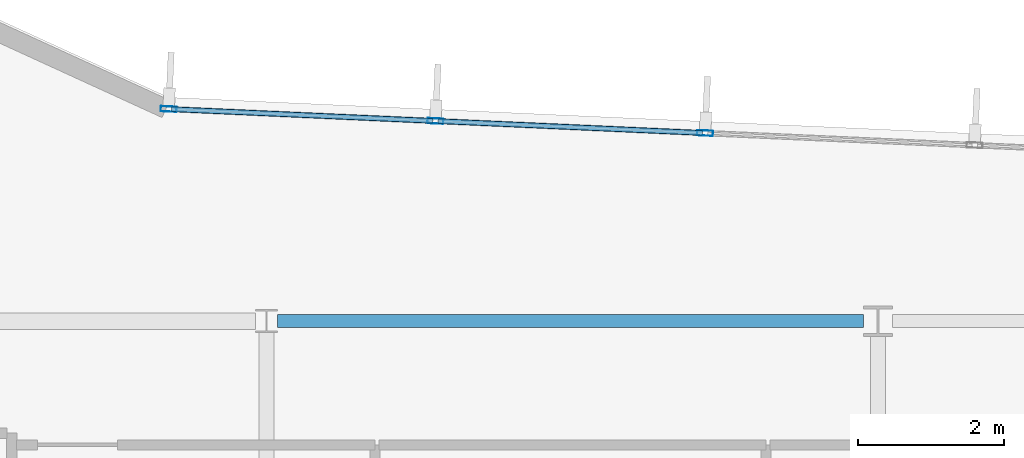
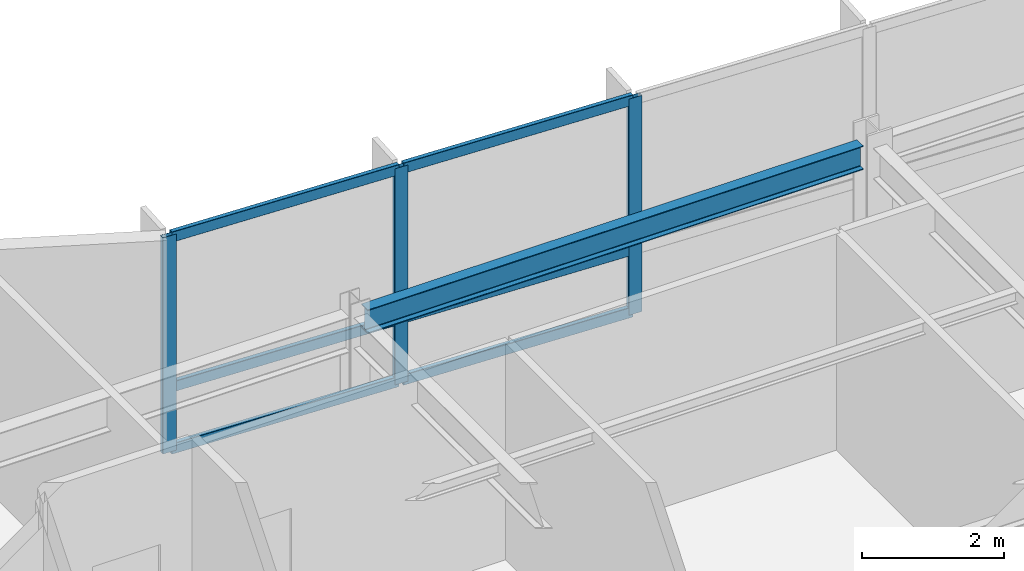
# One storey, part 5 of 18: 9 members, 1 beam, 1 element without a shape of its own.
"""IFC4 building model written with IfcOpenShell, lengths in metres."""

import ifcopenshell
import ifcopenshell.guid

model = None  # the IFC model being written
_history = None  # IfcOwnerHistory: only IFC2X3 demands one
_inside = {}  # id of a spatial element -> (the spatial element, [elements in it])
_under = {}  # id of a project, library or spatial element -> (it, [spatial elements below it])
_declared = {}  # id of a project -> (the project, [libraries it declares])
_typed = {}  # id of a type object -> (the type object, [elements of that type])
_made_of = {}  # id of a material, layer set ... -> (it, [elements and type objects made of it])


def new_model(schema):
    """Start an empty IFC model of exactly this schema.

    Asked for "IFC4X3", IfcOpenShell would pick the latest addendum, in which some entities
    have other attributes; the version numbers below select the first issue.
    IFC2X3 requires an IfcOwnerHistory on every rooted entity: one is made here for all.
    """
    global model, _history
    if schema == "IFC4X3":
        model = ifcopenshell.file(schema_version=(4, 3, 0, 0))
    else:
        model = ifcopenshell.file(schema=schema)
    _inside.clear()
    _under.clear()
    _declared.clear()
    _typed.clear()
    _made_of.clear()
    _history = None
    if model.schema == "IFC2X3":
        org = make("IfcOrganization", Name="unknown")
        user = make(
            "IfcPersonAndOrganization",
            ThePerson=make("IfcPerson", FamilyName="unknown"),
            TheOrganization=org,
        )
        app = make(
            "IfcApplication",
            ApplicationDeveloper=org,
            Version="unknown",
            ApplicationFullName="unknown",
            ApplicationIdentifier="unknown",
        )
        _history = make(
            "IfcOwnerHistory",
            OwningUser=user,
            OwningApplication=app,
            ChangeAction="ADDED",
            CreationDate=0,
        )
    return model


def make(cls, **values):
    """One entity of the class cls with the attributes given. An attribute that is None is left unset."""
    return model.create_entity(
        cls, **{name: value for name, value in values.items() if value is not None}
    )


def rooted(cls, **values):
    """An entity with a GlobalId (a new one), such as an element, a storey or a relation."""
    return make(cls, GlobalId=ifcopenshell.guid.new(), OwnerHistory=_history, **values)


def si_unit(unit_type, name, prefix=None):
    """IfcSIUnit, for example si_unit("LENGTHUNIT", "METRE", prefix="MILLI")."""
    return make("IfcSIUnit", UnitType=unit_type, Prefix=prefix, Name=name)


def assignment(units):
    """IfcUnitAssignment: the units of a project."""
    return None if units is None else make("IfcUnitAssignment", Units=units)


def point(xyz):
    """IfcCartesianPoint."""
    return None if xyz is None else make("IfcCartesianPoint", Coordinates=xyz)


def direction(xyz):
    """IfcDirection."""
    return None if xyz is None else make("IfcDirection", DirectionRatios=xyz)


def frame(location, z_axis=None, x_axis=None):
    """IfcAxis2Placement3D, a coordinate frame: its origin and axes. An axis left out is left unset."""
    return make(
        "IfcAxis2Placement3D",
        Location=point(location),
        Axis=direction(z_axis),
        RefDirection=direction(x_axis),
    )


def frame_2d(location, x_axis=None):
    """IfcAxis2Placement2D, a coordinate frame in the plane: its origin and x axis."""
    return make(
        "IfcAxis2Placement2D", Location=point(location), RefDirection=direction(x_axis)
    )


def origin():
    """The frame at (0, 0, 0) with its axes left unset."""
    return frame((0.0, 0.0, 0.0))


def origin_2d():
    """The frame at (0, 0) in the plane with its x axis left unset."""
    return frame_2d((0.0, 0.0))


def place(relative_to, where):
    """IfcLocalPlacement: puts the frame where relative to a parent placement (None: the world)."""
    return make(
        "IfcLocalPlacement", PlacementRelTo=relative_to, RelativePlacement=where
    )


def context(
    kind, dimensions, precision=None, world=None, true_north=None, identifier=None
):
    """IfcGeometricRepresentationContext, for example the 3D "Model" context."""
    return make(
        "IfcGeometricRepresentationContext",
        ContextIdentifier=identifier,
        ContextType=kind,
        CoordinateSpaceDimension=dimensions,
        Precision=precision,
        WorldCoordinateSystem=world,
        TrueNorth=true_north,
    )


def subcontext(parent, identifier, kind, view, scale=None):
    """IfcGeometricRepresentationSubContext, for example "Body" below "Model"."""
    return make(
        "IfcGeometricRepresentationSubContext",
        ContextIdentifier=identifier,
        ContextType=kind,
        ParentContext=parent,
        TargetScale=scale,
        TargetView=view,
    )


def project(units=None, contexts=None):
    """IfcProject with its units and contexts."""
    return rooted(
        "IfcProject",
        Name="project",
        RepresentationContexts=contexts,
        UnitsInContext=assignment(units),
    )


def spatial(cls, under=None, at=None, **own):
    """A site, building, storey or space (cls), placed at a placement, below another one or the project."""
    s = rooted(cls, ObjectPlacement=at, **own)
    if under is not None:
        _under.setdefault(under.id(), (under, []))[1].append(s)
    return s


def profile(cls, at=None, kind="AREA", **sizes):
    """A parametric profile (cls). Its sizes go by their IFC names, for example OverallWidth=200.0."""
    return make(cls, ProfileType=kind, Position=at, **sizes)


def hollow_rectangle(**sizes):
    """IfcRectangleHollowProfileDef."""
    return profile("IfcRectangleHollowProfileDef", **sizes)


def i_section(**sizes):
    """IfcIShapeProfileDef."""
    return profile("IfcIShapeProfileDef", **sizes)


def extrude(swept, where, along, depth):
    """IfcExtrudedAreaSolid: the profile swept, set in the frame where, extruded along a direction by depth."""
    return make(
        "IfcExtrudedAreaSolid",
        SweptArea=swept,
        Position=where,
        ExtrudedDirection=direction(along),
        Depth=depth,
    )


def shape(context_of_items, identifier, shape_type, items):
    """IfcShapeRepresentation: the items that make up one representation, for example the "Body"."""
    return make(
        "IfcShapeRepresentation",
        ContextOfItems=context_of_items,
        RepresentationIdentifier=identifier,
        RepresentationType=shape_type,
        Items=items,
    )


def material(Name=None, Category=None):
    """IfcMaterial."""
    return make("IfcMaterial", Name=Name, Category=Category)


def layer(
    of_material, thickness, ventilated=None, Name=None, Category=None, Priority=None
):
    """IfcMaterialLayer: one layer of a wall or slab, of a material (None: an air gap)."""
    return make(
        "IfcMaterialLayer",
        Material=of_material,
        LayerThickness=thickness,
        IsVentilated=ventilated,
        Name=Name,
        Category=Category,
        Priority=Priority,
    )


def layer_set(layers, Name=None):
    """IfcMaterialLayerSet."""
    return make("IfcMaterialLayerSet", MaterialLayers=layers, LayerSetName=Name)


def material_profile(
    of_material, cross_section, Name=None, Category=None, Priority=None
):
    """IfcMaterialProfile: a cross section and its material."""
    return make(
        "IfcMaterialProfile",
        Name=Name,
        Material=of_material,
        Profile=cross_section,
        Priority=Priority,
        Category=Category,
    )


def profile_set(profiles, Name=None, composite=None):
    """IfcMaterialProfileSet."""
    return make(
        "IfcMaterialProfileSet",
        Name=Name,
        MaterialProfiles=profiles,
        CompositeProfile=composite,
    )


def made_of(thing, what):
    """Note that an element or type object is made of a material, layer set ...; save() writes the relation."""
    if what is not None:
        _made_of.setdefault(what.id(), (what, []))[1].append(thing)
    return thing


def type_object(cls, material=None, **own):
    """A type object (cls), such as IfcWallType, which elements share."""
    return made_of(rooted(cls, **own), material)


def element(
    cls,
    number,
    at=None,
    inside=None,
    cuts=None,
    type_object=None,
    material=None,
    context=None,
    identifier="Body",
    shape_type=None,
    held_by="IfcProductDefinitionShape",
    body=None,
    shapes=None,
    **own,
):
    """One element of the class cls, such as IfcWall. Its Tag is "e" and its number.

    at: its placement. inside: the storey or other place that contains it. cuts: it is an
    opening in that element (IfcRelVoidsElement). A single representation is given by context,
    identifier, shape_type and body (its items); several are given by shapes. held_by: the class
    of the entity that holds the representations. save() writes the other relations.
    """
    e = rooted(cls, Tag="e%d" % number, ObjectPlacement=at, **own)
    if body is not None:
        shapes = [shape(context, identifier, shape_type, body)]
    if shapes is not None:
        e.Representation = make(held_by, Representations=shapes)
    if inside is not None:
        _inside.setdefault(inside.id(), (inside, []))[1].append(e)
    if cuts is not None:
        rooted(
            "IfcRelVoidsElement", RelatingBuildingElement=cuts, RelatedOpeningElement=e
        )
    if type_object is not None:
        _typed.setdefault(type_object.id(), (type_object, []))[1].append(e)
    return made_of(e, material)


def aggregate(whole, parts):
    """IfcRelAggregates: a whole, such as a stair, and the parts it consists of."""
    return rooted("IfcRelAggregates", RelatingObject=whole, RelatedObjects=parts)


def save(model, path):
    """Write the relations noted so far, then the file.

    IfcRelAggregates (storeys below a building ...), IfcRelContainedInSpatialStructure (elements
    in a storey), IfcRelDefinesByType, IfcRelAssociatesMaterial and IfcRelDeclares: one each for
    every whole, place, type object, material and project.
    """
    for whole, parts in _under.values():
        aggregate(whole, parts)
    for where, things in _inside.values():
        rooted(
            "IfcRelContainedInSpatialStructure",
            RelatedElements=things,
            RelatingStructure=where,
        )
    for kind, things in _typed.values():
        rooted("IfcRelDefinesByType", RelatedObjects=things, RelatingType=kind)
    for what, things in _made_of.values():
        rooted("IfcRelAssociatesMaterial", RelatedObjects=things, RelatingMaterial=what)
    for by, libraries in _declared.values():
        rooted("IfcRelDeclares", RelatingContext=by, RelatedDefinitions=libraries)
    model.write(path)


model = new_model("IFC4")

# Units and contexts
model_context = context("Model", 3, precision=1e-05, world=origin(), true_north=direction((0.0, 1.0)))
body_context = subcontext(model_context, "Body", "Model", "MODEL_VIEW")
ifc_project = project(units=[si_unit("LENGTHUNIT", "METRE"), si_unit("AREAUNIT", "SQUARE_METRE"), si_unit("VOLUMEUNIT", "CUBIC_METRE"), si_unit("PLANEANGLEUNIT", "RADIAN"), si_unit("MASSUNIT", "GRAM", prefix="KILO")], contexts=[model_context])

# Site, building, storey
site_placement = place(None, origin())
site = spatial("IfcSite", under=ifc_project, at=site_placement, CompositionType="ELEMENT")
building_placement = place(site_placement, origin())
building = spatial("IfcBuilding", under=site, at=building_placement, Name="Varnakote Quay Hospital", CompositionType="ELEMENT")
storey_placement = place(building_placement, frame((0.0, 0.0, 154.699951171875)))
storey = spatial("IfcBuildingStorey", under=building, at=storey_placement, Name="L38", CompositionType="ELEMENT", Elevation=154.699951171875)

# Curtain wall, members
ifc_material_1 = material(Name="Anodised aluminium 6063-T6 Bronze", Category="aluminium")
ifc_layer = layer(ifc_material_1, 0.205078125)
ifc_layer_set = layer_set([ifc_layer], Name="Anodised aluminium 6063-T6 Bronze")
curtain_wall_type = type_object("IfcCurtainWallType", Name="CW-SYS-3", PredefinedType="NOTDEFINED", material=ifc_layer_set)
curtain_wall_placement = place(storey_placement, origin())
curtain_wall = element("IfcCurtainWall", 1, at=curtain_wall_placement, inside=storey, type_object=curtain_wall_type, Name="L38 Unitised Bronze Curtain Wall 2", PredefinedType="NOTDEFINED")
ifc_material_2 = material(Name="Anodised aluminium 6063-T6 Bronze", Category="aluminium")
ifc_material_profile_1 = material_profile(ifc_material_2, hollow_rectangle(XDim=0.074951171875, YDim=0.219970703125, WallThickness=0.00439453125, InnerFilletRadius=0.00439453125, OuterFilletRadius=0.009033203125, at=origin_2d()), Name="CW-MULL-220x75")
ifc_profile_set_1 = profile_set([ifc_material_profile_1], Name="Anodised aluminium 6063-T6 Bronze")
member_type_1 = type_object("IfcMemberType", Name="CW-MULL-220x75", PredefinedType="MULLION", material=ifc_profile_set_1)
member_1_placement = place(storey_placement, frame((31.223876953125, 31.383544921875, 0.0), z_axis=(0.0, 0.0, 1.0), x_axis=(-0.044782334659, -0.998996768014, 0.0)))
member_1 = element("IfcMember", 2, at=member_1_placement, type_object=member_type_1, Name="-3-L38-2 mullion 3", PredefinedType="MULLION", context=body_context, shape_type="SweptSolid", body=[
    extrude(hollow_rectangle(XDim=0.074951171875, YDim=0.219970703125, WallThickness=0.00439453125, InnerFilletRadius=0.00439453125, OuterFilletRadius=0.009033203125, at=origin_2d()), origin(), (0.0, 0.0, 1.0), 3.7099609375),
])
member_2_placement = place(storey_placement, frame((27.520751953125, 31.549560546875, 0.0), z_axis=(0.0, 0.0, 1.0), x_axis=(-0.044782334659, -0.998996768014, 0.0)))
member_2 = element("IfcMember", 3, at=member_2_placement, type_object=member_type_1, Name="-3-L38-2 mullion 4", PredefinedType="MULLION", context=body_context, shape_type="SweptSolid", body=[
    extrude(hollow_rectangle(XDim=0.074951171875, YDim=0.219970703125, WallThickness=0.00439453125, InnerFilletRadius=0.00439453125, OuterFilletRadius=0.009033203125, at=origin_2d()), origin(), (0.0, 0.0, 1.0), 3.7099609375),
])
member_3_placement = place(storey_placement, frame((23.855224609375, 31.7138671875, 0.0), z_axis=(0.0, 0.0, 1.0), x_axis=(-0.044782334659, -0.998996768014, 0.0)))
member_3 = element("IfcMember", 4, at=member_3_placement, type_object=member_type_1, Name="-3-L38-2 mullion 5", PredefinedType="MULLION", context=body_context, shape_type="SweptSolid", body=[
    extrude(hollow_rectangle(XDim=0.074951171875, YDim=0.219970703125, WallThickness=0.00439453125, InnerFilletRadius=0.00439453125, OuterFilletRadius=0.009033203125, at=origin_2d()), origin(), (0.0, 0.0, 1.0), 3.7099609375),
])
ifc_material_3 = material(Name="Anodised aluminium 6063-T6 Bronze", Category="aluminium")
ifc_material_profile_2 = material_profile(ifc_material_3, hollow_rectangle(XDim=0.074951171875, YDim=0.179931640625, WallThickness=0.004150390625, InnerFilletRadius=0.004150390625, OuterFilletRadius=0.00830078125, at=origin_2d()), Name="CW-TRAN-180x75")
ifc_profile_set_2 = profile_set([ifc_material_profile_2], Name="Anodised aluminium 6063-T6 Bronze")
member_type_2 = type_object("IfcMemberType", Name="CW-TRAN-180x75", PredefinedType="USERDEFINED", material=ifc_profile_set_2)
member_4_placement = place(storey_placement, frame((31.1865234375, 31.38525390625, 0.03759765625), z_axis=(-0.99899730508, 0.044770352277, 0.0), x_axis=(-0.044770352277, -0.99899730508, 0.0)))
member_4 = element("IfcMember", 5, at=member_4_placement, type_object=member_type_2, Name="-3-L38-2 transom 3.1", ObjectType="TRANSOM", PredefinedType="USERDEFINED", context=body_context, shape_type="SweptSolid", body=[
    extrude(hollow_rectangle(XDim=0.074951171875, YDim=0.179931640625, WallThickness=0.004150390625, InnerFilletRadius=0.004150390625, OuterFilletRadius=0.00830078125, at=origin_2d()), origin(), (0.0, 0.0, 1.0), 3.6318359375),
])
member_5_placement = place(storey_placement, frame((31.1865234375, 31.38525390625, 1.10009765625), z_axis=(-0.99899730508, 0.044770352277, 0.0), x_axis=(-0.044770352277, -0.99899730508, 0.0)))
member_5 = element("IfcMember", 6, at=member_5_placement, type_object=member_type_2, Name="-3-L38-2 transom 3.2", ObjectType="TRANSOM", PredefinedType="USERDEFINED", context=body_context, shape_type="SweptSolid", body=[
    extrude(hollow_rectangle(XDim=0.074951171875, YDim=0.179931640625, WallThickness=0.004150390625, InnerFilletRadius=0.004150390625, OuterFilletRadius=0.00830078125, at=origin_2d()), origin(), (0.0, 0.0, 1.0), 3.6318359375),
])
member_6_placement = place(storey_placement, frame((31.1865234375, 31.38525390625, 3.672607421875), z_axis=(-0.99899730508, 0.044770352277, 0.0), x_axis=(-0.044770352277, -0.99899730508, 0.0)))
member_6 = element("IfcMember", 7, at=member_6_placement, type_object=member_type_2, Name="-3-L38-2 transom 3.3", ObjectType="TRANSOM", PredefinedType="USERDEFINED", context=body_context, shape_type="SweptSolid", body=[
    extrude(hollow_rectangle(XDim=0.074951171875, YDim=0.179931640625, WallThickness=0.004150390625, InnerFilletRadius=0.004150390625, OuterFilletRadius=0.00830078125, at=origin_2d()), origin(), (0.0, 0.0, 1.0), 3.6318359375),
])
member_7_placement = place(storey_placement, frame((27.4833984375, 31.55126953125, 0.03759765625), z_axis=(-0.998997740237, 0.044760641203, 0.0), x_axis=(-0.044760641203, -0.998997740237, 0.0)))
member_7 = element("IfcMember", 8, at=member_7_placement, type_object=member_type_2, Name="-3-L38-2 transom 4.1", ObjectType="TRANSOM", PredefinedType="USERDEFINED", context=body_context, shape_type="SweptSolid", body=[
    extrude(hollow_rectangle(XDim=0.074951171875, YDim=0.179931640625, WallThickness=0.004150390625, InnerFilletRadius=0.004150390625, OuterFilletRadius=0.00830078125, at=origin_2d()), origin(), (0.0, 0.0, 1.0), 3.594482421875),
])
member_8_placement = place(storey_placement, frame((27.4833984375, 31.55126953125, 1.10009765625), z_axis=(-0.998997740237, 0.044760641203, 0.0), x_axis=(-0.044760641203, -0.998997740237, 0.0)))
member_8 = element("IfcMember", 9, at=member_8_placement, type_object=member_type_2, Name="-3-L38-2 transom 4.2", ObjectType="TRANSOM", PredefinedType="USERDEFINED", context=body_context, shape_type="SweptSolid", body=[
    extrude(hollow_rectangle(XDim=0.074951171875, YDim=0.179931640625, WallThickness=0.004150390625, InnerFilletRadius=0.004150390625, OuterFilletRadius=0.00830078125, at=origin_2d()), origin(), (0.0, 0.0, 1.0), 3.594482421875),
])
member_9_placement = place(storey_placement, frame((27.4833984375, 31.55126953125, 3.672607421875), z_axis=(-0.998997740237, 0.044760641203, 0.0), x_axis=(-0.044760641203, -0.998997740237, 0.0)))
member_9 = element("IfcMember", 10, at=member_9_placement, type_object=member_type_2, Name="-3-L38-2 transom 4.3", ObjectType="TRANSOM", PredefinedType="USERDEFINED", context=body_context, shape_type="SweptSolid", body=[
    extrude(hollow_rectangle(XDim=0.074951171875, YDim=0.179931640625, WallThickness=0.004150390625, InnerFilletRadius=0.004150390625, OuterFilletRadius=0.00830078125, at=origin_2d()), origin(), (0.0, 0.0, 1.0), 3.594482421875),
])
aggregate(curtain_wall, [member_1, member_2, member_3, member_4, member_5, member_6, member_7, member_8, member_9])

# Beam
ifc_material_4 = material(Name="Structural steel AS/NZS 3679.1 Grade 350 L0 (fy 340 MPa)", Category="steel")
ifc_material_profile_3 = material_profile(ifc_material_4, i_section(OverallWidth=0.177978515625, OverallDepth=0.406005859375, WebThickness=0.0078125, FlangeThickness=0.0126953125, FilletRadius=0.011474609375, at=origin_2d()), Name="410UB59.7")
ifc_profile_set_3 = profile_set([ifc_material_profile_3], Name="Structural steel AS/NZS 3679.1 Grade 350 L0 (fy 340 MPa)")
beam_type = type_object("IfcBeamType", Name="SPN-STL-410UB59-7", PredefinedType="SPANDREL", material=ifc_profile_set_3)
beam_placement = place(storey_placement, frame((25.353515625, 28.800048828125, 3.507080078125), z_axis=(1.0, 0.0, 0.0), x_axis=(0.0, 1.0, 0.0)))
element("IfcBeam", 11, at=beam_placement, inside=storey, type_object=beam_type, Name="L38 Perimeter Spandrel Beam", PredefinedType="SPANDREL", context=body_context, shape_type="SweptSolid", body=[
    extrude(i_section(OverallWidth=0.177978515625, OverallDepth=0.406005859375, WebThickness=0.0078125, FlangeThickness=0.0126953125, FilletRadius=0.011474609375, at=origin_2d()), origin(), (0.0, 0.0, 1.0), 8.04638671875),
])

save(model, "model.ifc")
